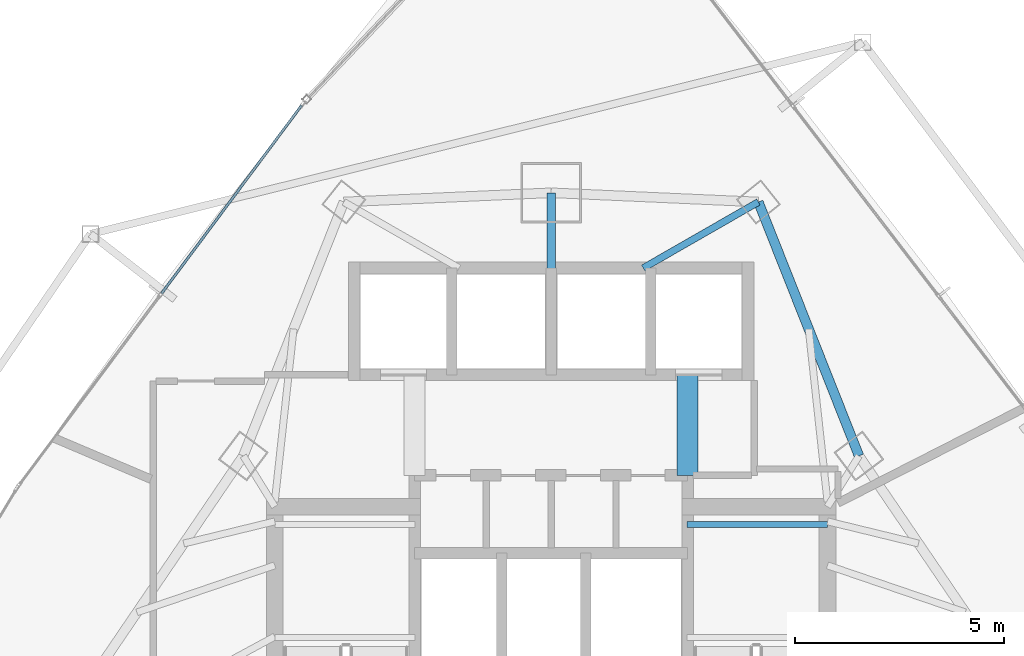
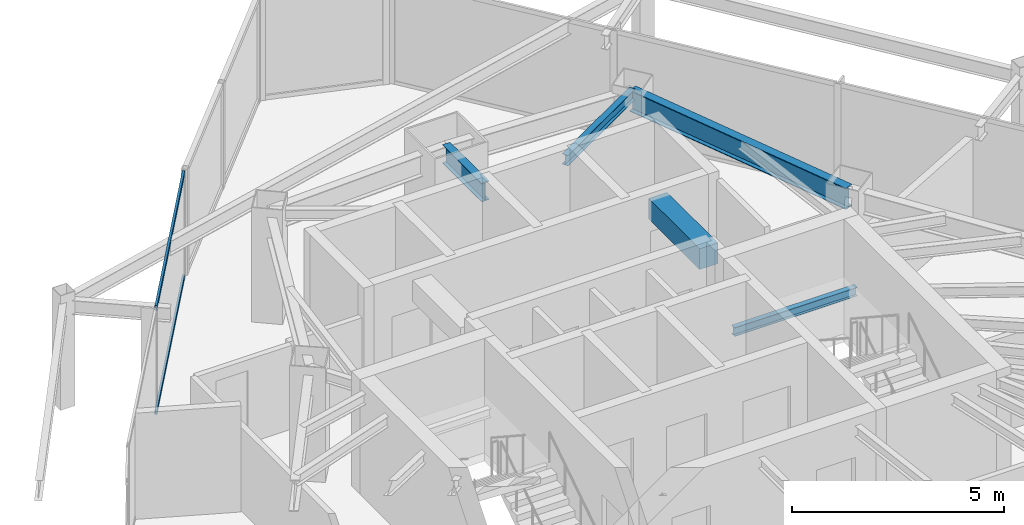
# One storey, part 20 of 31: 5 beams, 2 members, 1 element without a shape of its own.
"""IFC4 building model written with IfcOpenShell, lengths in metres."""

from ifc_helpers import new_model, si_unit, direction, frame, origin, origin_2d, place, context, subcontext, project, spatial, rectangle, hollow_rectangle, i_section, extrude, material, layer, layer_set, material_profile, profile_set, type_object, element, aggregate, save


model = new_model("IFC4")

# Units and contexts
model_context = context("Model", 3, precision=1e-05, world=origin(), true_north=direction((0.0, 1.0)))
body_context = subcontext(model_context, "Body", "Model", "MODEL_VIEW")
ifc_project = project(units=[si_unit("LENGTHUNIT", "METRE"), si_unit("AREAUNIT", "SQUARE_METRE"), si_unit("VOLUMEUNIT", "CUBIC_METRE"), si_unit("PLANEANGLEUNIT", "RADIAN"), si_unit("MASSUNIT", "GRAM", prefix="KILO")], contexts=[model_context])

# Site, building, storey
site_placement = place(None, origin())
site = spatial("IfcSite", under=ifc_project, at=site_placement, CompositionType="ELEMENT")
building_placement = place(site_placement, origin())
building = spatial("IfcBuilding", under=site, at=building_placement, Name="Orvanel Arch Residences", CompositionType="ELEMENT")
storey_placement = place(building_placement, frame((0.0, 0.0, 129.800048828125)))
storey = spatial("IfcBuildingStorey", under=building, at=storey_placement, Name="L36", CompositionType="ELEMENT", Elevation=129.800048828125)

# Beams
ifc_material_1 = material(Name="Structural steel AS/NZS 3679.1 Grade 300 (300 MPa)", Category="steel")
ifc_material_profile_1 = material_profile(ifc_material_1, i_section(OverallWidth=0.208984375, OverallDepth=0.532958984375, WebThickness=0.01025390625, FlangeThickness=0.015625, at=origin_2d()), Name="530UB92.4")
ifc_profile_set_1 = profile_set([ifc_material_profile_1], Name="Structural steel AS/NZS 3679.1 Grade 300 (300 MPa)")
beam_type_1 = type_object("IfcBeamType", Name="BG-530UB", PredefinedType="BEAM", material=ifc_profile_set_1)
beam_1_placement = place(storey_placement, frame((33.0, 39.550048828125, 2.7939453125), z_axis=(0.0, 1.0, 0.0), x_axis=(-1.0, 0.0, 0.0)))
element("IfcBeam", 1, at=beam_1_placement, inside=storey, type_object=beam_type_1, Name="L36 North Radial Girder", PredefinedType="BEAM", context=body_context, shape_type="SweptSolid", body=[
    extrude(i_section(OverallWidth=0.208984375, OverallDepth=0.532958984375, WebThickness=0.01025390625, FlangeThickness=0.015625, at=origin_2d()), origin(), (0.0, 0.0, 1.0), 1.847900390625),
])
ifc_material_profile_2 = material_profile(ifc_material_1, i_section(OverallWidth=0.14599609375, OverallDepth=0.251953125, WebThickness=0.006103515625, FlangeThickness=0.008544921875, at=origin_2d()), Name="250UB31.4")
ifc_profile_set_2 = profile_set([ifc_material_profile_2], Name="Structural steel AS/NZS 3679.1 Grade 300 (300 MPa)")
beam_type_2 = type_object("IfcBeamType", Name="BJ-250UB", PredefinedType="JOIST", material=ifc_profile_set_2)
beam_2_placement = place(storey_placement, frame((36.25, 33.47998046875, 1.323974609375), z_axis=(1.0, 0.0, 0.0), x_axis=(0.0, 1.0, 0.0)))
element("IfcBeam", 2, at=beam_2_placement, inside=storey, type_object=beam_type_2, Name="L36 ST-2 Half-Landing Support Beam 1.2", PredefinedType="JOIST", context=body_context, shape_type="SweptSolid", body=[
    extrude(i_section(OverallWidth=0.14599609375, OverallDepth=0.251953125, WebThickness=0.006103515625, FlangeThickness=0.008544921875, at=origin_2d()), origin(), (0.0, 0.0, 1.0), 3.35009765625),
])
ifc_material_profile_3 = material_profile(ifc_material_1, i_section(OverallWidth=0.1650390625, OverallDepth=0.303955078125, WebThickness=0.006103515625, FlangeThickness=0.01025390625, at=origin_2d()), Name="310UB40.4")
ifc_profile_set_3 = profile_set([ifc_material_profile_3], Name="Structural steel AS/NZS 3679.1 Grade 300 (300 MPa)")
beam_type_3 = type_object("IfcBeamType", Name="BJ-310UB", PredefinedType="JOIST", material=ifc_profile_set_3)
beam_3_placement = place(storey_placement, frame((35.199951171875, 39.60009765625, 2.907958984375), z_axis=(0.86736513383, 0.497672306458, 0.0), x_axis=(-0.497672306458, 0.86736513383, 0.0)))
element("IfcBeam", 3, at=beam_3_placement, inside=storey, type_object=beam_type_3, Name="L36 MNE Wing Floor Joist", PredefinedType="JOIST", context=body_context, shape_type="SweptSolid", body=[
    extrude(i_section(OverallWidth=0.1650390625, OverallDepth=0.303955078125, WebThickness=0.006103515625, FlangeThickness=0.01025390625, at=origin_2d()), origin(), (0.0, 0.0, 1.0), 3.17041015625),
])
ifc_material_2 = material(Name="Concrete S65 (65 MPa)", Category="concrete")
ifc_material_profile_4 = material_profile(ifc_material_2, rectangle(XDim=0.5, YDim=0.60009765625, at=origin_2d()), Name="RC500x600")
ifc_profile_set_4 = profile_set([ifc_material_profile_4], Name="Concrete S65 (65 MPa)")
beam_type_4 = type_object("IfcBeamType", Name="CB-500x600", PredefinedType="LINTEL", material=ifc_profile_set_4)
beam_4_placement = place(storey_placement, frame((36.260009765625, 34.64990234375, 2.760009765625), z_axis=(0.0, 1.0, 0.0), x_axis=(-1.0, 0.0, 0.0)))
element("IfcBeam", 4, at=beam_4_placement, inside=storey, type_object=beam_type_4, Name="L36 East Core Lobby Coupling Lintel Beam", PredefinedType="LINTEL", context=body_context, shape_type="SweptSolid", body=[
    extrude(rectangle(XDim=0.5, YDim=0.60009765625, at=origin_2d()), origin(), (0.0, 0.0, 1.0), 2.400146484375),
])
ifc_material_profile_5 = material_profile(ifc_material_1, i_section(OverallWidth=0.22900390625, OverallDepth=0.612060546875, WebThickness=0.011962890625, FlangeThickness=0.01953125, at=origin_2d()), Name="610UB125")
ifc_profile_set_5 = profile_set([ifc_material_profile_5], Name="Structural steel AS/NZS 3679.1 Grade 300 (300 MPa)")
beam_type_5 = type_object("IfcBeamType", Name="SP-610UB", PredefinedType="SPANDREL", material=ifc_profile_set_5)
beam_5_placement = place(storey_placement, frame((40.35205078125, 35.113037109375, 2.75390625), z_axis=(-0.368233143579, 0.929733484376, 0.0), x_axis=(-0.929733484376, -0.368233143579, 0.0)))
element("IfcBeam", 5, at=beam_5_placement, inside=storey, type_object=beam_type_5, Name="L36 Perimeter Spandrel Beam 13", PredefinedType="SPANDREL", context=body_context, shape_type="SweptSolid", body=[
    extrude(i_section(OverallWidth=0.22900390625, OverallDepth=0.612060546875, WebThickness=0.011962890625, FlangeThickness=0.01953125, at=origin_2d()), origin(), (0.0, 0.0, 1.0), 6.523193359375),
])

# Curtain wall, members
ifc_material_3 = material(Name="Bronze-anodised aluminium AA6063-T6", Category="aluminium")
ifc_layer = layer(ifc_material_3, 0.179931640625)
ifc_layer_set = layer_set([ifc_layer], Name="Bronze-anodised aluminium AA6063-T6")
curtain_wall_type = type_object("IfcCurtainWallType", Name="CW3-MID-SYS", PredefinedType="NOTDEFINED", material=ifc_layer_set)
curtain_wall_placement = place(storey_placement, origin())
curtain_wall = element("IfcCurtainWall", 6, at=curtain_wall_placement, inside=storey, type_object=curtain_wall_type, Name="L36 CW3-MID-SYS Unitised Curtain Wall", PredefinedType="NOTDEFINED")
ifc_material_profile_6 = material_profile(ifc_material_3, hollow_rectangle(XDim=0.06005859375, YDim=0.135009765625, WallThickness=0.00390625, at=origin_2d()), Name="ALU135x60x4")
ifc_profile_set_6 = profile_set([ifc_material_profile_6], Name="Bronze-anodised aluminium AA6063-T6")
member_type = type_object("IfcMemberType", Name="TRN-135x60", PredefinedType="USERDEFINED", material=ifc_profile_set_6)
member_1_placement = place(storey_placement, frame((27.043212890625, 43.48681640625, 0.030029296875), z_axis=(-0.597417035661, -0.80193072363, 0.0), x_axis=(0.80193072363, -0.597417035661, 0.0)))
member_1 = element("IfcMember", 7, at=member_1_placement, type_object=member_type, Name="CW-S3 transom 1.1", ObjectType="TRANSOM", PredefinedType="USERDEFINED", context=body_context, shape_type="SweptSolid", body=[
    extrude(hollow_rectangle(XDim=0.06005859375, YDim=0.135009765625, WallThickness=0.00390625, at=origin_2d()), origin(), (0.0, 0.0, 1.0), 5.602294921875),
])
member_2_placement = place(storey_placement, frame((27.043212890625, 43.48681640625, 3.030029296875), z_axis=(-0.597417035661, -0.80193072363, 0.0), x_axis=(0.80193072363, -0.597417035661, 0.0)))
member_2 = element("IfcMember", 8, at=member_2_placement, type_object=member_type, Name="CW-S3 transom 1.2", ObjectType="TRANSOM", PredefinedType="USERDEFINED", context=body_context, shape_type="SweptSolid", body=[
    extrude(hollow_rectangle(XDim=0.06005859375, YDim=0.135009765625, WallThickness=0.00390625, at=origin_2d()), origin(), (0.0, 0.0, 1.0), 5.602294921875),
])
aggregate(curtain_wall, [member_1, member_2])

save(model, "model.ifc")
